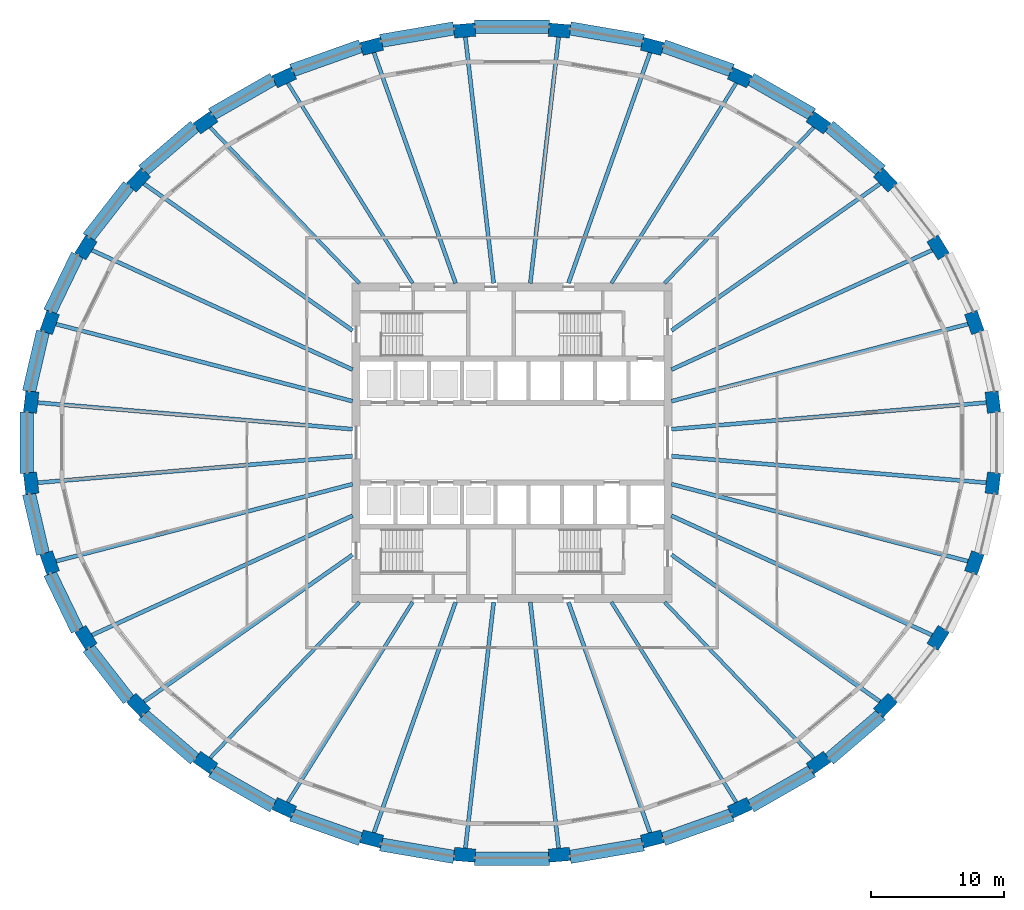
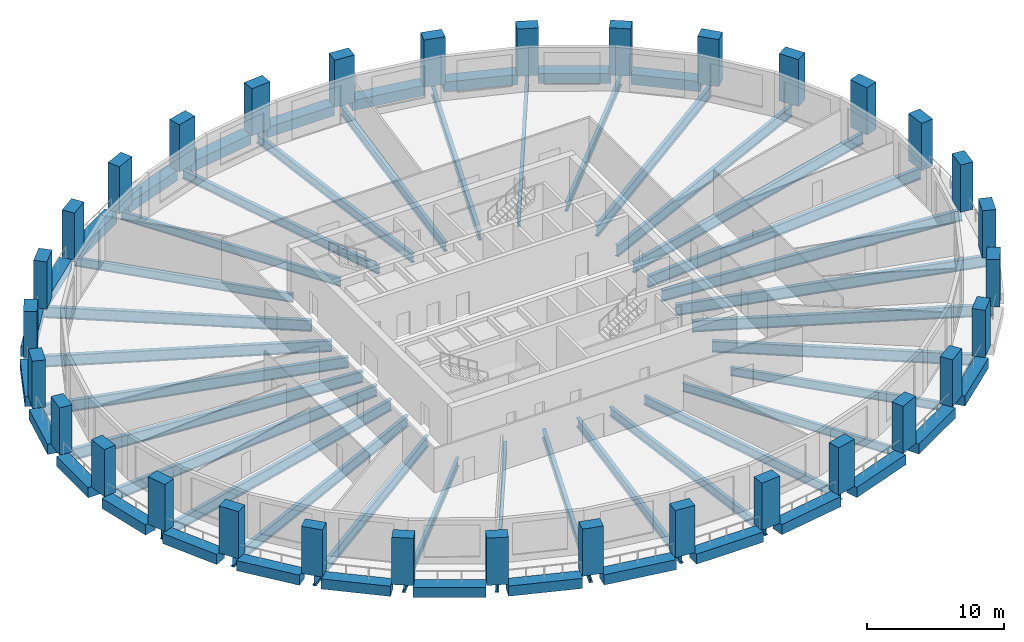
# One storey, part 1 of 11: 57 beams, 32 columns.
"""IFC4 building model written with IfcOpenShell, lengths in metres."""

import ifcopenshell
import ifcopenshell.guid

model = None  # the IFC model being written
_history = None  # IfcOwnerHistory: only IFC2X3 demands one
_inside = {}  # id of a spatial element -> (the spatial element, [elements in it])
_under = {}  # id of a project, library or spatial element -> (it, [spatial elements below it])
_declared = {}  # id of a project -> (the project, [libraries it declares])
_typed = {}  # id of a type object -> (the type object, [elements of that type])
_made_of = {}  # id of a material, layer set ... -> (it, [elements and type objects made of it])


def new_model(schema):
    """Start an empty IFC model of exactly this schema.

    Asked for "IFC4X3", IfcOpenShell would pick the latest addendum, in which some entities
    have other attributes; the version numbers below select the first issue.
    IFC2X3 requires an IfcOwnerHistory on every rooted entity: one is made here for all.
    """
    global model, _history
    if schema == "IFC4X3":
        model = ifcopenshell.file(schema_version=(4, 3, 0, 0))
    else:
        model = ifcopenshell.file(schema=schema)
    _inside.clear()
    _under.clear()
    _declared.clear()
    _typed.clear()
    _made_of.clear()
    _history = None
    if model.schema == "IFC2X3":
        org = make("IfcOrganization", Name="unknown")
        user = make(
            "IfcPersonAndOrganization",
            ThePerson=make("IfcPerson", FamilyName="unknown"),
            TheOrganization=org,
        )
        app = make(
            "IfcApplication",
            ApplicationDeveloper=org,
            Version="unknown",
            ApplicationFullName="unknown",
            ApplicationIdentifier="unknown",
        )
        _history = make(
            "IfcOwnerHistory",
            OwningUser=user,
            OwningApplication=app,
            ChangeAction="ADDED",
            CreationDate=0,
        )
    return model


def make(cls, **values):
    """One entity of the class cls with the attributes given. An attribute that is None is left unset."""
    return model.create_entity(
        cls, **{name: value for name, value in values.items() if value is not None}
    )


def rooted(cls, **values):
    """An entity with a GlobalId (a new one), such as an element, a storey or a relation."""
    return make(cls, GlobalId=ifcopenshell.guid.new(), OwnerHistory=_history, **values)


def si_unit(unit_type, name, prefix=None):
    """IfcSIUnit, for example si_unit("LENGTHUNIT", "METRE", prefix="MILLI")."""
    return make("IfcSIUnit", UnitType=unit_type, Prefix=prefix, Name=name)


def assignment(units):
    """IfcUnitAssignment: the units of a project."""
    return None if units is None else make("IfcUnitAssignment", Units=units)


def point(xyz):
    """IfcCartesianPoint."""
    return None if xyz is None else make("IfcCartesianPoint", Coordinates=xyz)


def direction(xyz):
    """IfcDirection."""
    return None if xyz is None else make("IfcDirection", DirectionRatios=xyz)


def frame(location, z_axis=None, x_axis=None):
    """IfcAxis2Placement3D, a coordinate frame: its origin and axes. An axis left out is left unset."""
    return make(
        "IfcAxis2Placement3D",
        Location=point(location),
        Axis=direction(z_axis),
        RefDirection=direction(x_axis),
    )


def frame_2d(location, x_axis=None):
    """IfcAxis2Placement2D, a coordinate frame in the plane: its origin and x axis."""
    return make(
        "IfcAxis2Placement2D", Location=point(location), RefDirection=direction(x_axis)
    )


def origin():
    """The frame at (0, 0, 0) with its axes left unset."""
    return frame((0.0, 0.0, 0.0))


def origin_2d():
    """The frame at (0, 0) in the plane with its x axis left unset."""
    return frame_2d((0.0, 0.0))


def place(relative_to, where):
    """IfcLocalPlacement: puts the frame where relative to a parent placement (None: the world)."""
    return make(
        "IfcLocalPlacement", PlacementRelTo=relative_to, RelativePlacement=where
    )


def context(
    kind, dimensions, precision=None, world=None, true_north=None, identifier=None
):
    """IfcGeometricRepresentationContext, for example the 3D "Model" context."""
    return make(
        "IfcGeometricRepresentationContext",
        ContextIdentifier=identifier,
        ContextType=kind,
        CoordinateSpaceDimension=dimensions,
        Precision=precision,
        WorldCoordinateSystem=world,
        TrueNorth=true_north,
    )


def subcontext(parent, identifier, kind, view, scale=None):
    """IfcGeometricRepresentationSubContext, for example "Body" below "Model"."""
    return make(
        "IfcGeometricRepresentationSubContext",
        ContextIdentifier=identifier,
        ContextType=kind,
        ParentContext=parent,
        TargetScale=scale,
        TargetView=view,
    )


def project(units=None, contexts=None):
    """IfcProject with its units and contexts."""
    return rooted(
        "IfcProject",
        Name="project",
        RepresentationContexts=contexts,
        UnitsInContext=assignment(units),
    )


def spatial(cls, under=None, at=None, **own):
    """A site, building, storey or space (cls), placed at a placement, below another one or the project."""
    s = rooted(cls, ObjectPlacement=at, **own)
    if under is not None:
        _under.setdefault(under.id(), (under, []))[1].append(s)
    return s


def profile(cls, at=None, kind="AREA", **sizes):
    """A parametric profile (cls). Its sizes go by their IFC names, for example OverallWidth=200.0."""
    return make(cls, ProfileType=kind, Position=at, **sizes)


def rectangle(**sizes):
    """IfcRectangleProfileDef."""
    return profile("IfcRectangleProfileDef", **sizes)


def i_section(**sizes):
    """IfcIShapeProfileDef."""
    return profile("IfcIShapeProfileDef", **sizes)


def extrude(swept, where, along, depth):
    """IfcExtrudedAreaSolid: the profile swept, set in the frame where, extruded along a direction by depth."""
    return make(
        "IfcExtrudedAreaSolid",
        SweptArea=swept,
        Position=where,
        ExtrudedDirection=direction(along),
        Depth=depth,
    )


def shape(context_of_items, identifier, shape_type, items):
    """IfcShapeRepresentation: the items that make up one representation, for example the "Body"."""
    return make(
        "IfcShapeRepresentation",
        ContextOfItems=context_of_items,
        RepresentationIdentifier=identifier,
        RepresentationType=shape_type,
        Items=items,
    )


def material(Name=None, Category=None):
    """IfcMaterial."""
    return make("IfcMaterial", Name=Name, Category=Category)


def material_profile(
    of_material, cross_section, Name=None, Category=None, Priority=None
):
    """IfcMaterialProfile: a cross section and its material."""
    return make(
        "IfcMaterialProfile",
        Name=Name,
        Material=of_material,
        Profile=cross_section,
        Priority=Priority,
        Category=Category,
    )


def profile_set(profiles, Name=None, composite=None):
    """IfcMaterialProfileSet."""
    return make(
        "IfcMaterialProfileSet",
        Name=Name,
        MaterialProfiles=profiles,
        CompositeProfile=composite,
    )


def made_of(thing, what):
    """Note that an element or type object is made of a material, layer set ...; save() writes the relation."""
    if what is not None:
        _made_of.setdefault(what.id(), (what, []))[1].append(thing)
    return thing


def type_object(cls, material=None, **own):
    """A type object (cls), such as IfcWallType, which elements share."""
    return made_of(rooted(cls, **own), material)


def element(
    cls,
    number,
    at=None,
    inside=None,
    cuts=None,
    type_object=None,
    material=None,
    context=None,
    identifier="Body",
    shape_type=None,
    held_by="IfcProductDefinitionShape",
    body=None,
    shapes=None,
    **own,
):
    """One element of the class cls, such as IfcWall. Its Tag is "e" and its number.

    at: its placement. inside: the storey or other place that contains it. cuts: it is an
    opening in that element (IfcRelVoidsElement). A single representation is given by context,
    identifier, shape_type and body (its items); several are given by shapes. held_by: the class
    of the entity that holds the representations. save() writes the other relations.
    """
    e = rooted(cls, Tag="e%d" % number, ObjectPlacement=at, **own)
    if body is not None:
        shapes = [shape(context, identifier, shape_type, body)]
    if shapes is not None:
        e.Representation = make(held_by, Representations=shapes)
    if inside is not None:
        _inside.setdefault(inside.id(), (inside, []))[1].append(e)
    if cuts is not None:
        rooted(
            "IfcRelVoidsElement", RelatingBuildingElement=cuts, RelatedOpeningElement=e
        )
    if type_object is not None:
        _typed.setdefault(type_object.id(), (type_object, []))[1].append(e)
    return made_of(e, material)


def aggregate(whole, parts):
    """IfcRelAggregates: a whole, such as a stair, and the parts it consists of."""
    return rooted("IfcRelAggregates", RelatingObject=whole, RelatedObjects=parts)


def save(model, path):
    """Write the relations noted so far, then the file.

    IfcRelAggregates (storeys below a building ...), IfcRelContainedInSpatialStructure (elements
    in a storey), IfcRelDefinesByType, IfcRelAssociatesMaterial and IfcRelDeclares: one each for
    every whole, place, type object, material and project.
    """
    for whole, parts in _under.values():
        aggregate(whole, parts)
    for where, things in _inside.values():
        rooted(
            "IfcRelContainedInSpatialStructure",
            RelatedElements=things,
            RelatingStructure=where,
        )
    for kind, things in _typed.values():
        rooted("IfcRelDefinesByType", RelatedObjects=things, RelatingType=kind)
    for what, things in _made_of.values():
        rooted("IfcRelAssociatesMaterial", RelatedObjects=things, RelatingMaterial=what)
    for by, libraries in _declared.values():
        rooted("IfcRelDeclares", RelatingContext=by, RelatedDefinitions=libraries)
    model.write(path)


model = new_model("IFC4")

# Units and contexts
model_context = context("Model", 3, precision=1e-05, world=origin(), true_north=direction((0.0, 1.0)))
body_context = subcontext(model_context, "Body", "Model", "MODEL_VIEW")
ifc_project = project(units=[si_unit("LENGTHUNIT", "METRE"), si_unit("AREAUNIT", "SQUARE_METRE"), si_unit("VOLUMEUNIT", "CUBIC_METRE"), si_unit("PLANEANGLEUNIT", "RADIAN"), si_unit("MASSUNIT", "GRAM", prefix="KILO")], contexts=[model_context])

# Site, building, storey
site_placement = place(None, origin())
site = spatial("IfcSite", under=ifc_project, at=site_placement, CompositionType="ELEMENT")
building_placement = place(site_placement, origin())
building = spatial("IfcBuilding", under=site, at=building_placement, Name="Halqa Exchange Tower", CompositionType="ELEMENT")
storey_placement = place(building_placement, frame((0.0, 0.0, 82.300048828125)))
storey = spatial("IfcBuildingStorey", under=building, at=storey_placement, Name="L18", CompositionType="ELEMENT", Elevation=82.300048828125)

# Columns
ifc_material_1 = material(Name="Concrete C70/85", Category="concrete")
ifc_material_profile_1 = material_profile(ifc_material_1, rectangle(XDim=1.60009765625, YDim=1.0, at=origin_2d()), Name="1600 x 1000")
ifc_profile_set_1 = profile_set([ifc_material_profile_1], Name="Concrete C70/85")
column_type = type_object("IfcColumnType", Name="RC ring column 1600 x 1000 C70/85", PredefinedType="COLUMN", material=ifc_profile_set_1)
for number, where, z_axis, x_axis, name in (
    (1, (36.11474609375, 3.048828125, 0.0), (0.0, 0.0, 1.0), (-0.114156921978, 0.993462730637, 0.0), "Ring column 1"),
    (2, (34.726806640625, 9.029296875, 0.0), (0.0, 0.0, 1.0), (-0.333630814899, 0.942703813162, 0.0), "Ring column 2"),
    (3, (32.00439453125, 14.662841796875, 0.0), (0.0, 0.0, 1.0), (-0.529140496257, 0.848534227489, 0.0), "Ring column 3"),
    (4, (28.05224609375, 19.73291015625, 0.0), (0.0, 0.0, 1.0), (-0.691576091297, 0.722303613411, 0.0), "Ring column 4"),
    (5, (23.021728515625, 24.044677734375, 0.0), (0.0, 0.0, 1.0), (-0.817908788019, 0.57534790734, 0.0), "Ring column 5"),
    (6, (17.106689453125, 27.432373046875, 0.0), (0.0, 0.0, 1.0), (-0.909126368869, 0.416520402174, 0.0), "Ring column 6"),
    (7, (10.5341796875, 29.765869140625, 0.0), (0.0, 0.0, 1.0), (-0.967819942774, 0.251643713153, 0.0), "Ring column 7"),
    (8, (3.556884765625, 30.95556640625, 0.0), (0.0, 0.0, 1.0), (-0.996455518985, 0.084121333105, 0.0), "Ring column 8"),
    (9, (-3.556884765625, 30.95556640625, 0.0), (0.0, 0.0, 1.0), (-0.996455518985, -0.084121333105, 0.0), "Ring column 9"),
    (10, (-10.5341796875, 29.765869140625, 0.0), (0.0, 0.0, 1.0), (-0.967819942774, -0.251643713153, 0.0), "Ring column 10"),
    (11, (-17.106689453125, 27.432373046875, 0.0), (0.0, 0.0, 1.0), (-0.909126368869, -0.416520402174, 0.0), "Ring column 11"),
    (12, (-23.021728515625, 24.044677734375, 0.0), (0.0, 0.0, 1.0), (-0.817908788019, -0.57534790734, 0.0), "Ring column 12"),
    (13, (-28.05224609375, 19.73291015625, 0.0), (0.0, 0.0, 1.0), (-0.691576091297, -0.722303613411, 0.0), "Ring column 13"),
    (14, (-32.00439453125, 14.662841796875, 0.0), (0.0, 0.0, 1.0), (-0.529140496257, -0.848534227489, 0.0), "Ring column 14"),
    (15, (-34.726806640625, 9.029296875, 0.0), (0.0, 0.0, 1.0), (-0.333630814899, -0.942703813162, 0.0), "Ring column 15"),
    (16, (-36.11474609375, 3.048828125, 0.0), (0.0, 0.0, 1.0), (-0.114156921978, -0.993462730637, 0.0), "Ring column 16"),
    (17, (-36.11474609375, -3.048828125, 0.0), (0.0, 0.0, 1.0), (0.114156921978, -0.993462730637, 0.0), "Ring column 17"),
    (18, (-34.726806640625, -9.029296875, 0.0), (0.0, 0.0, 1.0), (0.333630814899, -0.942703813162, 0.0), "Ring column 18"),
    (19, (-32.00439453125, -14.662841796875, 0.0), (0.0, 0.0, 1.0), (0.529140496257, -0.848534227489, 0.0), "Ring column 19"),
    (20, (-28.05224609375, -19.73291015625, 0.0), (0.0, 0.0, 1.0), (0.691576091297, -0.722303613411, 0.0), "Ring column 20"),
    (21, (-23.021728515625, -24.044677734375, 0.0), (0.0, 0.0, 1.0), (0.817908788019, -0.57534790734, 0.0), "Ring column 21"),
    (22, (-17.106689453125, -27.432373046875, 0.0), (0.0, 0.0, 1.0), (0.909126368869, -0.416520402174, 0.0), "Ring column 22"),
    (23, (-10.5341796875, -29.765869140625, 0.0), (0.0, 0.0, 1.0), (0.967819942774, -0.251643713153, 0.0), "Ring column 23"),
    (24, (-3.556884765625, -30.95556640625, 0.0), (0.0, 0.0, 1.0), (0.996455518985, -0.084121333105, 0.0), "Ring column 24"),
    (25, (3.556884765625, -30.95556640625, 0.0), (0.0, 0.0, 1.0), (0.996455518985, 0.084121333105, 0.0), "Ring column 25"),
    (26, (10.5341796875, -29.765869140625, 0.0), (0.0, 0.0, 1.0), (0.967819942774, 0.251643713153, 0.0), "Ring column 26"),
    (27, (17.106689453125, -27.432373046875, 0.0), (0.0, 0.0, 1.0), (0.909126368869, 0.416520402174, 0.0), "Ring column 27"),
    (28, (23.021728515625, -24.044677734375, 0.0), (0.0, 0.0, 1.0), (0.817908788019, 0.57534790734, 0.0), "Ring column 28"),
    (29, (28.05224609375, -19.73291015625, 0.0), (0.0, 0.0, 1.0), (0.691576091297, 0.722303613411, 0.0), "Ring column 29"),
    (30, (32.00439453125, -14.662841796875, 0.0), (0.0, 0.0, 1.0), (0.529140496257, 0.848534227489, 0.0), "Ring column 30"),
    (31, (34.726806640625, -9.029296875, 0.0), (0.0, 0.0, 1.0), (0.333630814899, 0.942703813162, 0.0), "Ring column 31"),
    (32, (36.11474609375, -3.048828125, 0.0), (0.0, 0.0, 1.0), (0.114156921978, 0.993462730637, 0.0), "Ring column 32"),
):
    element("IfcColumn", number, at=place(storey_placement, frame(where, z_axis=z_axis, x_axis=x_axis)), inside=storey, type_object=column_type, Name=name, PredefinedType="COLUMN", context=body_context, shape_type="SweptSolid", body=[
        extrude(rectangle(XDim=1.60009765625, YDim=1.0, at=origin_2d()), origin(), (0.0, 0.0, 1.0), 4.199951171875),
    ])

# Beams
ifc_material_2 = material(Name="Steel S355", Category="steel")
ifc_material_profile_2 = material_profile(ifc_material_2, i_section(OverallWidth=0.300048828125, OverallDepth=0.989990234375, WebThickness=0.0166015625, FlangeThickness=0.031005859375, FilletRadius=0.030029296875, at=origin_2d()), Name="HEA 1000")
ifc_profile_set_2 = profile_set([ifc_material_profile_2], Name="Steel S355")
beam_type_1 = type_object("IfcBeamType", Name="Floor beam HEA 1000", PredefinedType="BEAM", material=ifc_profile_set_2)
beam_1_placement = place(storey_placement, frame((11.97119140625, 3.11279296875, -0.795166015625), z_axis=(0.96782037936, 0.251642034038, 0.0), x_axis=(-0.251642034038, 0.96782037936, 0.0)))
element("IfcBeam", 33, at=beam_1_placement, inside=storey, type_object=beam_type_1, Name="Radial beam 2", PredefinedType="BEAM", context=body_context, shape_type="SweptSolid", body=[
    extrude(i_section(OverallWidth=0.300048828125, OverallDepth=0.989990234375, WebThickness=0.0166015625, FlangeThickness=0.031005859375, FilletRadius=0.030029296875, at=origin_2d()), origin(), (0.0, 0.0, 1.0), 23.4765625),
])
beam_2_placement = place(storey_placement, frame((11.972412109375, 5.485107421875, -0.795166015625), z_axis=(0.909125962818, 0.416521288447, 0.0), x_axis=(-0.416521288447, 0.909125962818, 0.0)))
element("IfcBeam", 34, at=beam_2_placement, inside=storey, type_object=beam_type_1, Name="Radial beam 3", PredefinedType="BEAM", context=body_context, shape_type="SweptSolid", body=[
    extrude(i_section(OverallWidth=0.300048828125, OverallDepth=0.989990234375, WebThickness=0.0166015625, FlangeThickness=0.031005859375, FilletRadius=0.030029296875, at=origin_2d()), origin(), (0.0, 0.0, 1.0), 21.990234375),
])
for number, where, z_axis, x_axis, name in (
    (35, (11.972412109375, 8.421875, -0.795166015625), (0.817908853803, 0.575347813823, 0.0), (-0.575347813823, 0.817908853803, 0.0), "Radial beam 4"),
    (36, (-11.972412109375, 8.421875, -0.795166015625), (-0.817908853803, 0.575347813823, 0.0), (-0.575347813823, -0.817908853803, 0.0), "Radial beam 13"),
):
    element("IfcBeam", number, at=place(storey_placement, frame(where, z_axis=z_axis, x_axis=x_axis)), inside=storey, type_object=beam_type_1, Name=name, PredefinedType="BEAM", context=body_context, shape_type="SweptSolid", body=[
        extrude(i_section(OverallWidth=0.300048828125, OverallDepth=0.989990234375, WebThickness=0.0166015625, FlangeThickness=0.031005859375, FilletRadius=0.030029296875, at=origin_2d()), origin(), (0.0, 0.0, 1.0), 19.60693359375),
    ])
beam_3_placement = place(storey_placement, frame((-11.972412109375, 5.485107421875, -0.795166015625), z_axis=(-0.909125962818, 0.416521288447, 0.0), x_axis=(-0.416521288447, -0.909125962818, 0.0)))
element("IfcBeam", 37, at=beam_3_placement, inside=storey, type_object=beam_type_1, Name="Radial beam 14", PredefinedType="BEAM", context=body_context, shape_type="SweptSolid", body=[
    extrude(i_section(OverallWidth=0.300048828125, OverallDepth=0.989990234375, WebThickness=0.0166015625, FlangeThickness=0.031005859375, FilletRadius=0.030029296875, at=origin_2d()), origin(), (0.0, 0.0, 1.0), 21.990234375),
])
for number, where, z_axis, x_axis, name in (
    (38, (-11.97119140625, 3.11279296875, -0.795166015625), (-0.96782037936, 0.251642034038, 0.0), (-0.251642034038, -0.96782037936, 0.0), "Radial beam 15"),
    (39, (-11.97119140625, -3.11279296875, -0.795166015625), (-0.96782037936, -0.251642034038, 0.0), (0.251642034038, -0.96782037936, 0.0), "Radial beam 18"),
):
    element("IfcBeam", number, at=place(storey_placement, frame(where, z_axis=z_axis, x_axis=x_axis)), inside=storey, type_object=beam_type_1, Name=name, PredefinedType="BEAM", context=body_context, shape_type="SweptSolid", body=[
        extrude(i_section(OverallWidth=0.300048828125, OverallDepth=0.989990234375, WebThickness=0.0166015625, FlangeThickness=0.031005859375, FilletRadius=0.030029296875, at=origin_2d()), origin(), (0.0, 0.0, 1.0), 23.4765625),
    ])
beam_4_placement = place(storey_placement, frame((-11.972412109375, -5.485107421875, -0.795166015625), z_axis=(-0.909125962818, -0.416521288447, 0.0), x_axis=(0.416521288447, -0.909125962818, 0.0)))
element("IfcBeam", 40, at=beam_4_placement, inside=storey, type_object=beam_type_1, Name="Radial beam 19", PredefinedType="BEAM", context=body_context, shape_type="SweptSolid", body=[
    extrude(i_section(OverallWidth=0.300048828125, OverallDepth=0.989990234375, WebThickness=0.0166015625, FlangeThickness=0.031005859375, FilletRadius=0.030029296875, at=origin_2d()), origin(), (0.0, 0.0, 1.0), 21.990234375),
])
for number, where, z_axis, x_axis, name in (
    (41, (-11.972412109375, -8.421875, -0.795166015625), (-0.817908853803, -0.575347813823, 0.0), (0.575347813823, -0.817908853803, 0.0), "Radial beam 20"),
    (42, (11.972412109375, -8.421875, -0.795166015625), (0.817908853803, -0.575347813823, 0.0), (0.575347813823, 0.817908853803, 0.0), "Radial beam 29"),
):
    element("IfcBeam", number, at=place(storey_placement, frame(where, z_axis=z_axis, x_axis=x_axis)), inside=storey, type_object=beam_type_1, Name=name, PredefinedType="BEAM", context=body_context, shape_type="SweptSolid", body=[
        extrude(i_section(OverallWidth=0.300048828125, OverallDepth=0.989990234375, WebThickness=0.0166015625, FlangeThickness=0.031005859375, FilletRadius=0.030029296875, at=origin_2d()), origin(), (0.0, 0.0, 1.0), 19.60693359375),
    ])
beam_5_placement = place(storey_placement, frame((11.972412109375, -5.485107421875, -0.795166015625), z_axis=(0.909125962818, -0.416521288447, 0.0), x_axis=(0.416521288447, 0.909125962818, 0.0)))
element("IfcBeam", 43, at=beam_5_placement, inside=storey, type_object=beam_type_1, Name="Radial beam 30", PredefinedType="BEAM", context=body_context, shape_type="SweptSolid", body=[
    extrude(i_section(OverallWidth=0.300048828125, OverallDepth=0.989990234375, WebThickness=0.0166015625, FlangeThickness=0.031005859375, FilletRadius=0.030029296875, at=origin_2d()), origin(), (0.0, 0.0, 1.0), 21.990234375),
])
beam_6_placement = place(storey_placement, frame((11.97119140625, -3.11279296875, -0.795166015625), z_axis=(0.96782037936, -0.251642034038, 0.0), x_axis=(0.251642034038, 0.96782037936, 0.0)))
element("IfcBeam", 44, at=beam_6_placement, inside=storey, type_object=beam_type_1, Name="Radial beam 31", PredefinedType="BEAM", context=body_context, shape_type="SweptSolid", body=[
    extrude(i_section(OverallWidth=0.300048828125, OverallDepth=0.989990234375, WebThickness=0.0166015625, FlangeThickness=0.031005859375, FilletRadius=0.030029296875, at=origin_2d()), origin(), (0.0, 0.0, 1.0), 23.4765625),
])
ifc_material_profile_3 = material_profile(ifc_material_2, i_section(OverallWidth=0.300048828125, OverallDepth=0.7900390625, WebThickness=0.014892578125, FlangeThickness=0.028076171875, FilletRadius=0.030029296875, at=origin_2d()), Name="HEA 800")
ifc_profile_set_3 = profile_set([ifc_material_profile_3], Name="Steel S355")
beam_type_2 = type_object("IfcBeamType", Name="Floor beam HEA 800", PredefinedType="BEAM", material=ifc_profile_set_3)
beam_7_placement = place(storey_placement, frame((4.23681640625, 11.971923828125, -0.695068359375), z_axis=(0.333632452214, 0.942703233701, 0.0), x_axis=(-0.942703233701, 0.333632452214, 0.0)))
element("IfcBeam", 45, at=beam_7_placement, inside=storey, type_object=beam_type_2, Name="Radial beam 7", PredefinedType="BEAM", context=body_context, shape_type="SweptSolid", body=[
    extrude(i_section(OverallWidth=0.300048828125, OverallDepth=0.7900390625, WebThickness=0.014892578125, FlangeThickness=0.028076171875, FilletRadius=0.030029296875, at=origin_2d()), origin(), (0.0, 0.0, 1.0), 18.799072265625),
])
for number, where, z_axis, x_axis, name in (
    (46, (1.375732421875, 11.972900390625, -0.695068359375), (0.114159525725, 0.993462431442, 0.0), (-0.993462431442, 0.114159525725, 0.0), "Radial beam 8"),
    (47, (-1.375732421875, 11.972900390625, -0.695068359375), (-0.114159525725, 0.993462431442, 0.0), (-0.993462431442, -0.114159525725, 0.0), "Radial beam 9"),
):
    element("IfcBeam", number, at=place(storey_placement, frame(where, z_axis=z_axis, x_axis=x_axis)), inside=storey, type_object=beam_type_2, Name=name, PredefinedType="BEAM", context=body_context, shape_type="SweptSolid", body=[
        extrude(i_section(OverallWidth=0.300048828125, OverallDepth=0.7900390625, WebThickness=0.014892578125, FlangeThickness=0.028076171875, FilletRadius=0.030029296875, at=origin_2d()), origin(), (0.0, 0.0, 1.0), 19.029296875),
    ])
for number, where, z_axis, x_axis, name in (
    (48, (-4.23681640625, 11.971923828125, -0.695068359375), (-0.333632452214, 0.942703233701, 0.0), (-0.942703233701, -0.333632452214, 0.0), "Radial beam 10"),
    (49, (-4.23681640625, -11.971923828125, -0.695068359375), (-0.333632452214, -0.942703233701, 0.0), (0.942703233701, -0.333632452214, 0.0), "Radial beam 23"),
):
    element("IfcBeam", number, at=place(storey_placement, frame(where, z_axis=z_axis, x_axis=x_axis)), inside=storey, type_object=beam_type_2, Name=name, PredefinedType="BEAM", context=body_context, shape_type="SweptSolid", body=[
        extrude(i_section(OverallWidth=0.300048828125, OverallDepth=0.7900390625, WebThickness=0.014892578125, FlangeThickness=0.028076171875, FilletRadius=0.030029296875, at=origin_2d()), origin(), (0.0, 0.0, 1.0), 18.799072265625),
    ])
for number, where, z_axis, x_axis, name in (
    (50, (-1.375732421875, -11.972900390625, -0.695068359375), (-0.114159525725, -0.993462431442, 0.0), (0.993462431442, -0.114159525725, 0.0), "Radial beam 24"),
    (51, (1.375732421875, -11.972900390625, -0.695068359375), (0.114159525725, -0.993462431442, 0.0), (0.993462431442, 0.114159525725, 0.0), "Radial beam 25"),
):
    element("IfcBeam", number, at=place(storey_placement, frame(where, z_axis=z_axis, x_axis=x_axis)), inside=storey, type_object=beam_type_2, Name=name, PredefinedType="BEAM", context=body_context, shape_type="SweptSolid", body=[
        extrude(i_section(OverallWidth=0.300048828125, OverallDepth=0.7900390625, WebThickness=0.014892578125, FlangeThickness=0.028076171875, FilletRadius=0.030029296875, at=origin_2d()), origin(), (0.0, 0.0, 1.0), 19.029296875),
    ])
beam_8_placement = place(storey_placement, frame((4.23681640625, -11.971923828125, -0.695068359375), z_axis=(0.333632452214, -0.942703233701, 0.0), x_axis=(0.942703233701, 0.333632452214, 0.0)))
element("IfcBeam", 52, at=beam_8_placement, inside=storey, type_object=beam_type_2, Name="Radial beam 26", PredefinedType="BEAM", context=body_context, shape_type="SweptSolid", body=[
    extrude(i_section(OverallWidth=0.300048828125, OverallDepth=0.7900390625, WebThickness=0.014892578125, FlangeThickness=0.028076171875, FilletRadius=0.030029296875, at=origin_2d()), origin(), (0.0, 0.0, 1.0), 18.799072265625),
])
ifc_material_profile_4 = material_profile(ifc_material_2, i_section(OverallWidth=0.302001953125, OverallDepth=1.008056640625, WebThickness=0.02099609375, FlangeThickness=0.0400390625, FilletRadius=0.030029296875, at=origin_2d()), Name="HEM 1000")
ifc_profile_set_4 = profile_set([ifc_material_profile_4], Name="Steel S355")
beam_type_3 = type_object("IfcBeamType", Name="Floor beam HEM 1000", PredefinedType="BEAM", material=ifc_profile_set_4)
for number, where, z_axis, x_axis, name in (
    (53, (11.972412109375, 1.0107421875, -0.803955078125), (0.996455204188, 0.084125061941, 0.0), (-0.084125061941, 0.996455204188, 0.0), "Radial beam 1"),
    (54, (-11.972412109375, 1.0107421875, -0.803955078125), (-0.996455204188, 0.084125061941, 0.0), (-0.084125061941, -0.996455204188, 0.0), "Radial beam 16"),
    (55, (-11.972412109375, -1.0107421875, -0.803955078125), (-0.996455204188, -0.084125061941, 0.0), (0.084125061941, -0.996455204188, 0.0), "Radial beam 17"),
    (56, (11.972412109375, -1.0107421875, -0.803955078125), (0.996455204188, -0.084125061941, 0.0), (0.084125061941, 0.996455204188, 0.0), "Radial beam 32"),
):
    element("IfcBeam", number, at=place(storey_placement, frame(where, z_axis=z_axis, x_axis=x_axis)), inside=storey, type_object=beam_type_3, Name=name, PredefinedType="BEAM", context=body_context, shape_type="SweptSolid", body=[
        extrude(i_section(OverallWidth=0.302001953125, OverallDepth=1.008056640625, WebThickness=0.02099609375, FlangeThickness=0.0400390625, FilletRadius=0.030029296875, at=origin_2d()), origin(), (0.0, 0.0, 1.0), 24.19775390625),
    ])
ifc_material_profile_5 = material_profile(ifc_material_2, i_section(OverallWidth=0.264892578125, OverallDepth=0.7529296875, WebThickness=0.01318359375, FlangeThickness=0.01708984375, FilletRadius=0.01708984375, at=origin_2d()), Name="IPE 750x147")
ifc_profile_set_5 = profile_set([ifc_material_profile_5], Name="Steel S355")
beam_type_4 = type_object("IfcBeamType", Name="Floor beam IPE 750x147", PredefinedType="BEAM", material=ifc_profile_set_5)
beam_9_placement = place(storey_placement, frame((11.462890625, 11.97216796875, -0.676513671875), z_axis=(0.691574428676, 0.722305205299, 0.0), x_axis=(-0.722305205299, 0.691574428676, 0.0)))
element("IfcBeam", 57, at=beam_9_placement, inside=storey, type_object=beam_type_4, Name="Radial beam 5", PredefinedType="BEAM", context=body_context, shape_type="SweptSolid", body=[
    extrude(i_section(OverallWidth=0.264892578125, OverallDepth=0.7529296875, WebThickness=0.01318359375, FlangeThickness=0.01708984375, FilletRadius=0.01708984375, at=origin_2d()), origin(), (0.0, 0.0, 1.0), 16.651611328125),
])
for number, where, z_axis, x_axis, name in (
    (58, (7.466064453125, 11.972412109375, -0.676513671875), (0.529136503595, 0.848536717275, 0.0), (-0.848536717275, 0.529136503595, 0.0), "Radial beam 6"),
    (59, (-7.466064453125, 11.972412109375, -0.676513671875), (-0.529136503595, 0.848536717275, 0.0), (-0.848536717275, -0.529136503595, 0.0), "Radial beam 11"),
):
    element("IfcBeam", number, at=place(storey_placement, frame(where, z_axis=z_axis, x_axis=x_axis)), inside=storey, type_object=beam_type_4, Name=name, PredefinedType="BEAM", context=body_context, shape_type="SweptSolid", body=[
        extrude(i_section(OverallWidth=0.264892578125, OverallDepth=0.7529296875, WebThickness=0.01318359375, FlangeThickness=0.01708984375, FilletRadius=0.01708984375, at=origin_2d()), origin(), (0.0, 0.0, 1.0), 18.1484375),
    ])
for number, where, z_axis, x_axis, name in (
    (60, (-11.462890625, 11.97216796875, -0.676513671875), (-0.691574428676, 0.722305205299, 0.0), (-0.722305205299, -0.691574428676, 0.0), "Radial beam 12"),
    (61, (-11.462890625, -11.97216796875, -0.676513671875), (-0.691574428676, -0.722305205299, 0.0), (0.722305205299, -0.691574428676, 0.0), "Radial beam 21"),
):
    element("IfcBeam", number, at=place(storey_placement, frame(where, z_axis=z_axis, x_axis=x_axis)), inside=storey, type_object=beam_type_4, Name=name, PredefinedType="BEAM", context=body_context, shape_type="SweptSolid", body=[
        extrude(i_section(OverallWidth=0.264892578125, OverallDepth=0.7529296875, WebThickness=0.01318359375, FlangeThickness=0.01708984375, FilletRadius=0.01708984375, at=origin_2d()), origin(), (0.0, 0.0, 1.0), 16.651611328125),
    ])
for number, where, z_axis, x_axis, name in (
    (62, (-7.466064453125, -11.972412109375, -0.676513671875), (-0.529136503595, -0.848536717275, 0.0), (0.848536717275, -0.529136503595, 0.0), "Radial beam 22"),
    (63, (7.466064453125, -11.972412109375, -0.676513671875), (0.529136503595, -0.848536717275, 0.0), (0.848536717275, 0.529136503595, 0.0), "Radial beam 27"),
):
    element("IfcBeam", number, at=place(storey_placement, frame(where, z_axis=z_axis, x_axis=x_axis)), inside=storey, type_object=beam_type_4, Name=name, PredefinedType="BEAM", context=body_context, shape_type="SweptSolid", body=[
        extrude(i_section(OverallWidth=0.264892578125, OverallDepth=0.7529296875, WebThickness=0.01318359375, FlangeThickness=0.01708984375, FilletRadius=0.01708984375, at=origin_2d()), origin(), (0.0, 0.0, 1.0), 18.1484375),
    ])
beam_10_placement = place(storey_placement, frame((11.462890625, -11.97216796875, -0.676513671875), z_axis=(0.691574428676, -0.722305205299, 0.0), x_axis=(0.722305205299, 0.691574428676, 0.0)))
element("IfcBeam", 64, at=beam_10_placement, inside=storey, type_object=beam_type_4, Name="Radial beam 28", PredefinedType="BEAM", context=body_context, shape_type="SweptSolid", body=[
    extrude(i_section(OverallWidth=0.264892578125, OverallDepth=0.7529296875, WebThickness=0.01318359375, FlangeThickness=0.01708984375, FilletRadius=0.01708984375, at=origin_2d()), origin(), (0.0, 0.0, 1.0), 16.651611328125),
])
ifc_material_3 = material(Name="Concrete C60/75", Category="concrete")
ifc_material_profile_6 = material_profile(ifc_material_3, rectangle(XDim=1.0, YDim=0.89990234375, at=origin_2d()), Name="1000 x 900")
ifc_profile_set_6 = profile_set([ifc_material_profile_6], Name="Concrete C60/75")
beam_type_5 = type_object("IfcBeamType", Name="RC spandrel beam 1000 x 900 C60/75", PredefinedType="SPANDREL", material=ifc_profile_set_6)
beam_11_placement = place(storey_placement, frame((27.728271484375, 20.42333984375, -0.449951171875), z_axis=(-0.759270020375, 0.650775718784, 0.0), x_axis=(-0.650775718784, -0.759270020375, 0.0)))
element("IfcBeam", 65, at=beam_11_placement, inside=storey, type_object=beam_type_5, Name="Spandrel 4", PredefinedType="SPANDREL", context=body_context, shape_type="SweptSolid", body=[
    extrude(rectangle(XDim=1.0, YDim=0.89990234375, at=origin_2d()), origin(), (0.0, 0.0, 1.0), 5.137451171875),
])
beam_12_placement = place(storey_placement, frame((22.566650390625, 24.65625, -0.449951171875), z_axis=(-0.867746673775, 0.49700675061, 0.0), x_axis=(-0.49700675061, -0.867746673775, 0.0)))
element("IfcBeam", 66, at=beam_12_placement, inside=storey, type_object=beam_type_5, Name="Spandrel 5", PredefinedType="SPANDREL", context=body_context, shape_type="SweptSolid", body=[
    extrude(rectangle(XDim=1.0, YDim=0.89990234375, at=origin_2d()), origin(), (0.0, 0.0, 1.0), 5.330810546875),
])
beam_13_placement = place(storey_placement, frame((16.5380859375, 27.9501953125, -0.449951171875), z_axis=(-0.942372121283, 0.334566562926, 0.0), x_axis=(-0.334566562926, -0.942372121283, 0.0)))
element("IfcBeam", 67, at=beam_13_placement, inside=storey, type_object=beam_type_5, Name="Spandrel 6", PredefinedType="SPANDREL", context=body_context, shape_type="SweptSolid", body=[
    extrude(rectangle(XDim=1.0, YDim=0.89990234375, at=origin_2d()), origin(), (0.0, 0.0, 1.0), 5.48974609375),
])
beam_14_placement = place(storey_placement, frame((9.869384765625, 30.1767578125, -0.449951171875), z_axis=(-0.985777362137, 0.168056515188, 0.0), x_axis=(-0.168056515188, -0.985777362137, 0.0)))
element("IfcBeam", 68, at=beam_14_placement, inside=storey, type_object=beam_type_5, Name="Spandrel 7", PredefinedType="SPANDREL", context=body_context, shape_type="SweptSolid", body=[
    extrude(rectangle(XDim=1.0, YDim=0.89990234375, at=origin_2d()), origin(), (0.0, 0.0, 1.0), 5.594482421875),
])
beam_15_placement = place(storey_placement, frame((2.815673828125, 31.247314453125, -0.449951171875), z_axis=(-1.0, 0.0, 0.0), x_axis=(0.0, -1.0, 0.0)))
element("IfcBeam", 69, at=beam_15_placement, inside=storey, type_object=beam_type_5, Name="Spandrel 8", PredefinedType="SPANDREL", context=body_context, shape_type="SweptSolid", body=[
    extrude(rectangle(XDim=1.0, YDim=0.89990234375, at=origin_2d()), origin(), (0.0, 0.0, 1.0), 5.63134765625),
])
beam_16_placement = place(storey_placement, frame((-4.3544921875, 31.116943359375, -0.449951171875), z_axis=(-0.985777362137, -0.168056515188, 0.0), x_axis=(0.168056515188, -0.985777362137, 0.0)))
element("IfcBeam", 70, at=beam_16_placement, inside=storey, type_object=beam_type_5, Name="Spandrel 9", PredefinedType="SPANDREL", context=body_context, shape_type="SweptSolid", body=[
    extrude(rectangle(XDim=1.0, YDim=0.89990234375, at=origin_2d()), origin(), (0.0, 0.0, 1.0), 5.594482421875),
])
beam_17_placement = place(storey_placement, frame((-11.36474609375, 29.786865234375, -0.449951171875), z_axis=(-0.942372121283, -0.334566562926, 0.0), x_axis=(0.334566562926, -0.942372121283, 0.0)))
element("IfcBeam", 71, at=beam_17_placement, inside=storey, type_object=beam_type_5, Name="Spandrel 10", PredefinedType="SPANDREL", context=body_context, shape_type="SweptSolid", body=[
    extrude(rectangle(XDim=1.0, YDim=0.89990234375, at=origin_2d()), origin(), (0.0, 0.0, 1.0), 5.48974609375),
])
beam_18_placement = place(storey_placement, frame((-17.94091796875, 27.3056640625, -0.449951171875), z_axis=(-0.867746673775, -0.49700675061, 0.0), x_axis=(0.49700675061, -0.867746673775, 0.0)))
element("IfcBeam", 72, at=beam_18_placement, inside=storey, type_object=beam_type_5, Name="Spandrel 11", PredefinedType="SPANDREL", context=body_context, shape_type="SweptSolid", body=[
    extrude(rectangle(XDim=1.0, YDim=0.89990234375, at=origin_2d()), origin(), (0.0, 0.0, 1.0), 5.330810546875),
])
beam_19_placement = place(storey_placement, frame((-23.82763671875, 23.7666015625, -0.449951171875), z_axis=(-0.759270020375, -0.650775718784, 0.0), x_axis=(0.650775718784, -0.759270020375, 0.0)))
element("IfcBeam", 73, at=beam_19_placement, inside=storey, type_object=beam_type_5, Name="Spandrel 12", PredefinedType="SPANDREL", context=body_context, shape_type="SweptSolid", body=[
    extrude(rectangle(XDim=1.0, YDim=0.89990234375, at=origin_2d()), origin(), (0.0, 0.0, 1.0), 5.137451171875),
])
beam_20_placement = place(storey_placement, frame((-28.793701171875, 19.306884765625, -0.449951171875), z_axis=(-0.614823356822, -0.788664846374, 0.0), x_axis=(0.788664846374, -0.614823356822, 0.0)))
element("IfcBeam", 74, at=beam_20_placement, inside=storey, type_object=beam_type_5, Name="Spandrel 13", PredefinedType="SPANDREL", context=body_context, shape_type="SweptSolid", body=[
    extrude(rectangle(XDim=1.0, YDim=0.89990234375, at=origin_2d()), origin(), (0.0, 0.0, 1.0), 4.937744140625),
])
beam_21_placement = place(storey_placement, frame((-32.64404296875, 14.10205078125, -0.449951171875), z_axis=(-0.435134718336, -0.900365357452, 0.0), x_axis=(0.900365357452, -0.435134718336, 0.0)))
element("IfcBeam", 75, at=beam_21_placement, inside=storey, type_object=beam_type_5, Name="Spandrel 14", PredefinedType="SPANDREL", context=body_context, shape_type="SweptSolid", body=[
    extrude(rectangle(XDim=1.0, YDim=0.89990234375, at=origin_2d()), origin(), (0.0, 0.0, 1.0), 4.76171875),
])
beam_22_placement = place(storey_placement, frame((-35.229736328125, 8.358154296875, -0.449951171875), z_axis=(-0.226061116023, -0.97411312065, 0.0), x_axis=(0.97411312065, -0.226061116023, 0.0)))
element("IfcBeam", 76, at=beam_22_placement, inside=storey, type_object=beam_type_5, Name="Spandrel 15", PredefinedType="SPANDREL", context=body_context, shape_type="SweptSolid", body=[
    extrude(rectangle(XDim=1.0, YDim=0.89990234375, at=origin_2d()), origin(), (0.0, 0.0, 1.0), 4.643798828125),
])
beam_23_placement = place(storey_placement, frame((-36.455078125, 2.30029296875, -0.449951171875), z_axis=(0.0, -1.0, 0.0), x_axis=(1.0, 0.0, 0.0)))
element("IfcBeam", 77, at=beam_23_placement, inside=storey, type_object=beam_type_5, Name="Spandrel 16", PredefinedType="SPANDREL", context=body_context, shape_type="SweptSolid", body=[
    extrude(rectangle(XDim=1.0, YDim=0.89990234375, at=origin_2d()), origin(), (0.0, 0.0, 1.0), 4.6005859375),
])
beam_24_placement = place(storey_placement, frame((-36.279541015625, -3.83447265625, -0.449951171875), z_axis=(0.226061116023, -0.97411312065, 0.0), x_axis=(0.97411312065, 0.226061116023, 0.0)))
element("IfcBeam", 78, at=beam_24_placement, inside=storey, type_object=beam_type_5, Name="Spandrel 17", PredefinedType="SPANDREL", context=body_context, shape_type="SweptSolid", body=[
    extrude(rectangle(XDim=1.0, YDim=0.89990234375, at=origin_2d()), origin(), (0.0, 0.0, 1.0), 4.643798828125),
])
beam_25_placement = place(storey_placement, frame((-34.716064453125, -9.814697265625, -0.449951171875), z_axis=(0.435134718336, -0.900365357452, 0.0), x_axis=(0.900365357452, 0.435134718336, 0.0)))
element("IfcBeam", 79, at=beam_25_placement, inside=storey, type_object=beam_type_5, Name="Spandrel 18", PredefinedType="SPANDREL", context=body_context, shape_type="SweptSolid", body=[
    extrude(rectangle(XDim=1.0, YDim=0.89990234375, at=origin_2d()), origin(), (0.0, 0.0, 1.0), 4.76171875),
])
beam_26_placement = place(storey_placement, frame((-31.82958984375, -15.41259765625, -0.449951171875), z_axis=(0.614823356822, -0.788664846374, 0.0), x_axis=(0.788664846374, 0.614823356822, 0.0)))
element("IfcBeam", 80, at=beam_26_placement, inside=storey, type_object=beam_type_5, Name="Spandrel 19", PredefinedType="SPANDREL", context=body_context, shape_type="SweptSolid", body=[
    extrude(rectangle(XDim=1.0, YDim=0.89990234375, at=origin_2d()), origin(), (0.0, 0.0, 1.0), 4.937744140625),
])
beam_27_placement = place(storey_placement, frame((-27.728271484375, -20.42333984375, -0.449951171875), z_axis=(0.759270020375, -0.650775718784, 0.0), x_axis=(0.650775718784, 0.759270020375, 0.0)))
element("IfcBeam", 81, at=beam_27_placement, inside=storey, type_object=beam_type_5, Name="Spandrel 20", PredefinedType="SPANDREL", context=body_context, shape_type="SweptSolid", body=[
    extrude(rectangle(XDim=1.0, YDim=0.89990234375, at=origin_2d()), origin(), (0.0, 0.0, 1.0), 5.137451171875),
])
beam_28_placement = place(storey_placement, frame((-22.566650390625, -24.65625, -0.449951171875), z_axis=(0.867746673775, -0.49700675061, 0.0), x_axis=(0.49700675061, 0.867746673775, 0.0)))
element("IfcBeam", 82, at=beam_28_placement, inside=storey, type_object=beam_type_5, Name="Spandrel 21", PredefinedType="SPANDREL", context=body_context, shape_type="SweptSolid", body=[
    extrude(rectangle(XDim=1.0, YDim=0.89990234375, at=origin_2d()), origin(), (0.0, 0.0, 1.0), 5.330810546875),
])
beam_29_placement = place(storey_placement, frame((-16.5380859375, -27.9501953125, -0.449951171875), z_axis=(0.942372121283, -0.334566562926, 0.0), x_axis=(0.334566562926, 0.942372121283, 0.0)))
element("IfcBeam", 83, at=beam_29_placement, inside=storey, type_object=beam_type_5, Name="Spandrel 22", PredefinedType="SPANDREL", context=body_context, shape_type="SweptSolid", body=[
    extrude(rectangle(XDim=1.0, YDim=0.89990234375, at=origin_2d()), origin(), (0.0, 0.0, 1.0), 5.48974609375),
])
beam_30_placement = place(storey_placement, frame((-9.869384765625, -30.1767578125, -0.449951171875), z_axis=(0.985777362137, -0.168056515188, 0.0), x_axis=(0.168056515188, 0.985777362137, 0.0)))
element("IfcBeam", 84, at=beam_30_placement, inside=storey, type_object=beam_type_5, Name="Spandrel 23", PredefinedType="SPANDREL", context=body_context, shape_type="SweptSolid", body=[
    extrude(rectangle(XDim=1.0, YDim=0.89990234375, at=origin_2d()), origin(), (0.0, 0.0, 1.0), 5.594482421875),
])
beam_31_placement = place(storey_placement, frame((-2.815673828125, -31.247314453125, -0.449951171875), z_axis=(1.0, 0.0, 0.0), x_axis=(0.0, 1.0, 0.0)))
element("IfcBeam", 85, at=beam_31_placement, inside=storey, type_object=beam_type_5, Name="Spandrel 24", PredefinedType="SPANDREL", context=body_context, shape_type="SweptSolid", body=[
    extrude(rectangle(XDim=1.0, YDim=0.89990234375, at=origin_2d()), origin(), (0.0, 0.0, 1.0), 5.63134765625),
])
beam_32_placement = place(storey_placement, frame((4.3544921875, -31.116943359375, -0.449951171875), z_axis=(0.985777362137, 0.168056515188, 0.0), x_axis=(-0.168056515188, 0.985777362137, 0.0)))
element("IfcBeam", 86, at=beam_32_placement, inside=storey, type_object=beam_type_5, Name="Spandrel 25", PredefinedType="SPANDREL", context=body_context, shape_type="SweptSolid", body=[
    extrude(rectangle(XDim=1.0, YDim=0.89990234375, at=origin_2d()), origin(), (0.0, 0.0, 1.0), 5.594482421875),
])
beam_33_placement = place(storey_placement, frame((11.36474609375, -29.786865234375, -0.449951171875), z_axis=(0.942372121283, 0.334566562926, 0.0), x_axis=(-0.334566562926, 0.942372121283, 0.0)))
element("IfcBeam", 87, at=beam_33_placement, inside=storey, type_object=beam_type_5, Name="Spandrel 26", PredefinedType="SPANDREL", context=body_context, shape_type="SweptSolid", body=[
    extrude(rectangle(XDim=1.0, YDim=0.89990234375, at=origin_2d()), origin(), (0.0, 0.0, 1.0), 5.48974609375),
])
beam_34_placement = place(storey_placement, frame((17.94091796875, -27.3056640625, -0.449951171875), z_axis=(0.867746673775, 0.49700675061, 0.0), x_axis=(-0.49700675061, 0.867746673775, 0.0)))
element("IfcBeam", 88, at=beam_34_placement, inside=storey, type_object=beam_type_5, Name="Spandrel 27", PredefinedType="SPANDREL", context=body_context, shape_type="SweptSolid", body=[
    extrude(rectangle(XDim=1.0, YDim=0.89990234375, at=origin_2d()), origin(), (0.0, 0.0, 1.0), 5.330810546875),
])
beam_35_placement = place(storey_placement, frame((23.82763671875, -23.7666015625, -0.449951171875), z_axis=(0.759270020375, 0.650775718784, 0.0), x_axis=(-0.650775718784, 0.759270020375, 0.0)))
element("IfcBeam", 89, at=beam_35_placement, inside=storey, type_object=beam_type_5, Name="Spandrel 28", PredefinedType="SPANDREL", context=body_context, shape_type="SweptSolid", body=[
    extrude(rectangle(XDim=1.0, YDim=0.89990234375, at=origin_2d()), origin(), (0.0, 0.0, 1.0), 5.137451171875),
])

save(model, "model.ifc")
